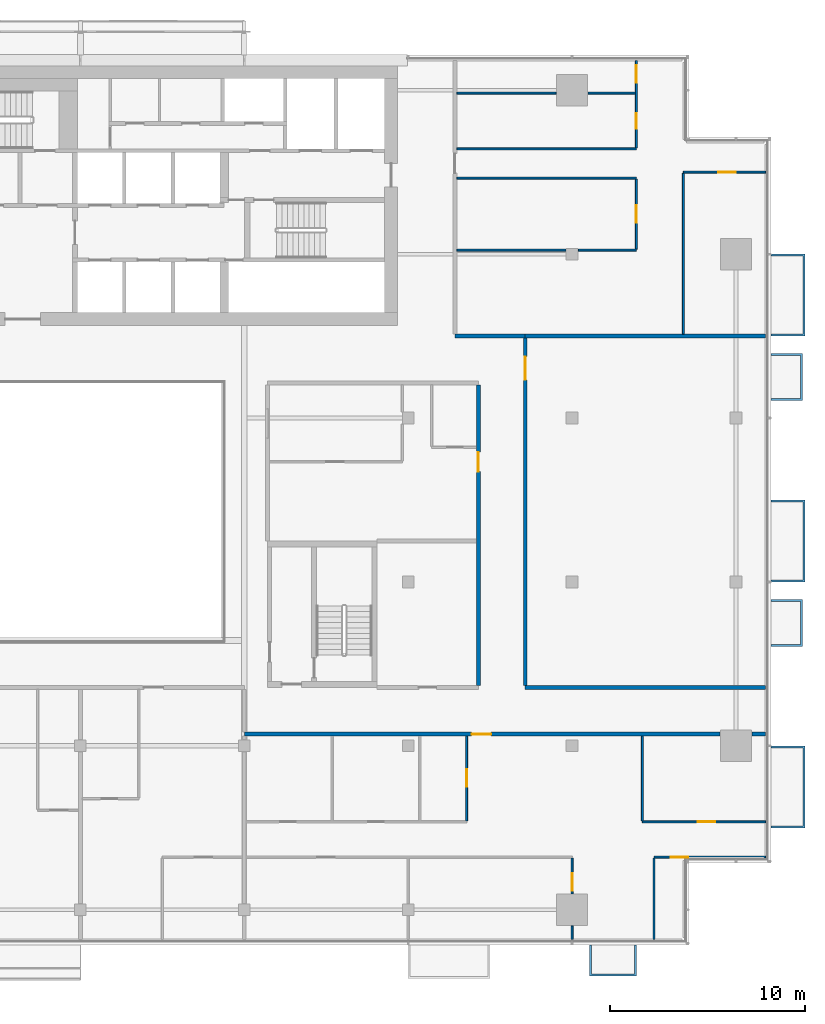
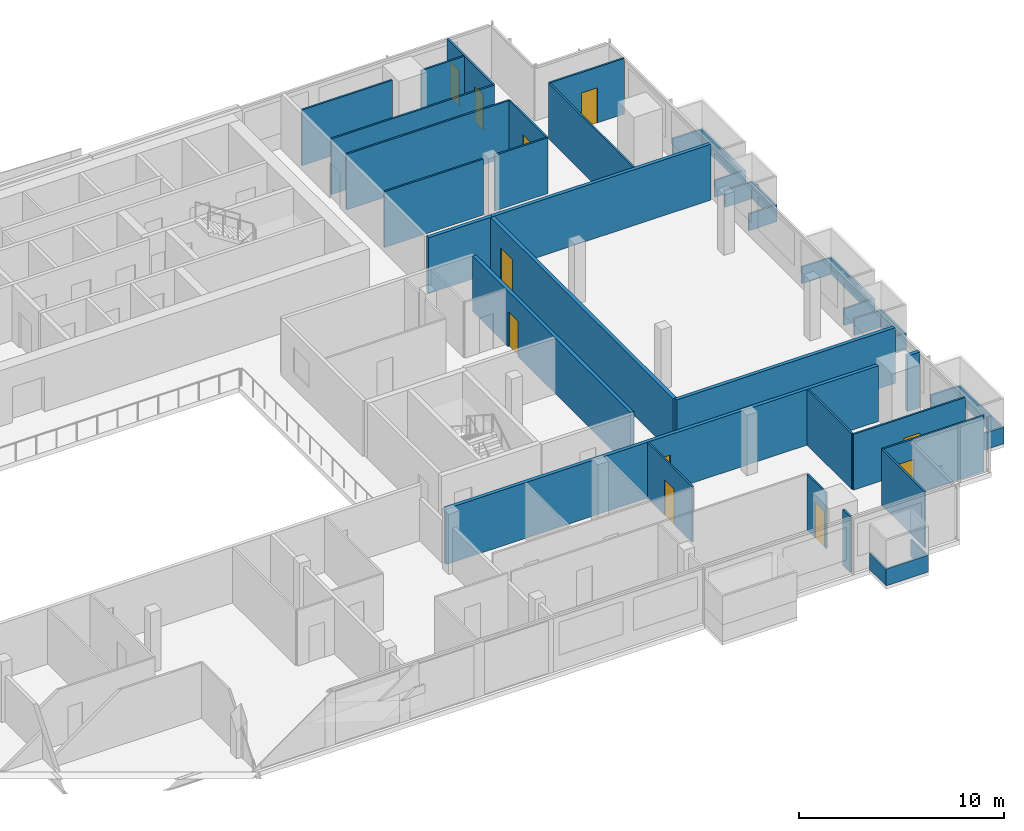
# One storey, part 24 of 27: 30 walls, 11 doors, 11 openings.
"""IFC4 building model written with IfcOpenShell, lengths in metres."""

from ifc_helpers import new_model, si_unit, direction, frame, frame_2d, origin, place, context, subcontext, project, spatial, polyline, rectangle, outline, extrude, material, layer, layer_set, type_object, element, fill, save


model = new_model("IFC4")

# Units and contexts
model_context = context("Model", 3, precision=1e-05, world=origin(), true_north=direction((0.0, 1.0)))
body_context = subcontext(model_context, "Body", "Model", "MODEL_VIEW")
ifc_project = project(units=[si_unit("LENGTHUNIT", "METRE"), si_unit("AREAUNIT", "SQUARE_METRE"), si_unit("VOLUMEUNIT", "CUBIC_METRE"), si_unit("PLANEANGLEUNIT", "RADIAN"), si_unit("MASSUNIT", "GRAM", prefix="KILO")], contexts=[model_context])

# Site, building, storey
site_placement = place(None, origin())
site = spatial("IfcSite", under=ifc_project, at=site_placement, CompositionType="ELEMENT")
building_placement = place(site_placement, origin())
building = spatial("IfcBuilding", under=site, at=building_placement, Name="Saffron Gate Tower", CompositionType="ELEMENT")
storey_placement = place(building_placement, frame((0.0, 0.0, 209.10009765625)))
storey = spatial("IfcBuildingStorey", under=building, at=storey_placement, Name="L50", CompositionType="ELEMENT", Elevation=209.10009765625)

# Wall, opening, door
ifc_material_1 = material(Name="Plasterboard on steel studs", Category="steel")
ifc_layer_1 = layer(ifc_material_1, 0.10009765625)
ifc_layer_set_1 = layer_set([ifc_layer_1], Name="PW1 Partition 100")
wall_type_1 = type_object("IfcWallType", Name="PW1 Partition 100", PredefinedType="PARTITIONING", material=ifc_layer_set_1)
wall_1_placement = place(storey_placement, frame((126.919921875, 34.5, 0.0), z_axis=(0.0, 0.0, 1.0), x_axis=(-1.0, 0.0, 0.0)))
wall_1 = element("IfcWall", 1, at=wall_1_placement, inside=storey, type_object=wall_type_1, Name="Partition D1-3", PredefinedType="PARTITIONING", context=body_context, shape_type="SweptSolid", body=[
    extrude(rectangle(XDim=5.719970703125, YDim=0.10009765625, at=frame_2d((2.85986328125, 0.0))), origin(), (0.0, 0.0, 1.0), 3.31982421875),
])
opening_1_placement = place(wall_1_placement, frame((3.96630859375, 0.0, 0.0)))
opening_1 = element("IfcOpeningElement", 2, at=opening_1_placement, cuts=wall_1, Name="Opening D1-21", PredefinedType="OPENING", context=body_context, shape_type="SweptSolid", body=[
    extrude(rectangle(XDim=0.89990234375, YDim=2.10009765625, at=frame_2d((0.449951171875, 1.050048828125))), frame((0.0, 0.06005859375, 0.0), z_axis=(0.0, -1.0, 0.0), x_axis=(1.0, 0.0, 0.0)), (0.0, 0.0, 1.0), 0.1201171875),
])
ifc_material_2 = material(Name="Timber door set", Category="wood")
door_type_1 = type_object("IfcDoorType", Name="RD1 Room door 900x2100", OperationType="NOTDEFINED", PredefinedType="DOOR", material=ifc_material_2)
door_1_placement = place(opening_1_placement, origin())
door_1 = element("IfcDoor", 3, at=door_1_placement, inside=storey, type_object=door_type_1, Name="Door D1-21", OperationType="SINGLE_SWING_RIGHT", OverallHeight=2.10009765625, OverallWidth=0.89990234375, PredefinedType="DOOR", context=body_context, shape_type="SweptSolid", body=[
    extrude(rectangle(XDim=0.89990234375, YDim=2.10009765625, at=frame_2d((0.449951171875, 1.050048828125))), frame((0.0, 0.02490234375, 0.0), z_axis=(0.0, -1.0, 0.0), x_axis=(1.0, 0.0, 0.0)), (0.0, 0.0, 1.0), 0.050048828125),
])
fill(opening_1, door_1)

wall_2_placement = place(storey_placement, frame((120.60009765625, 36.300048828125, 0.0), z_axis=(0.0, 0.0, 1.0), x_axis=(1.0, 0.0, 0.0)))
wall_2 = element("IfcWall", 4, at=wall_2_placement, inside=storey, type_object=wall_type_1, Name="Partition D1-8", PredefinedType="PARTITIONING", context=body_context, shape_type="SweptSolid", body=[
    extrude(rectangle(XDim=6.31982421875, YDim=0.10009765625, at=frame_2d((3.159912109375, 0.0))), origin(), (0.0, 0.0, 1.0), 3.31982421875),
])
opening_2_placement = place(wall_2_placement, frame((2.85009765625, 0.0, 0.0)))
opening_2 = element("IfcOpeningElement", 5, at=opening_2_placement, cuts=wall_2, Name="Opening D1-22", PredefinedType="OPENING", context=body_context, shape_type="SweptSolid", body=[
    extrude(rectangle(XDim=0.89990234375, YDim=2.10009765625, at=frame_2d((0.449951171875, 1.050048828125))), frame((0.0, 0.06005859375, 0.0), z_axis=(0.0, -1.0, 0.0), x_axis=(1.0, 0.0, 0.0)), (0.0, 0.0, 1.0), 0.1201171875),
])
door_2_placement = place(opening_2_placement, origin())
door_2 = element("IfcDoor", 6, at=door_2_placement, inside=storey, type_object=door_type_1, Name="Door D1-22", OperationType="SINGLE_SWING_RIGHT", OverallHeight=2.10009765625, OverallWidth=0.89990234375, PredefinedType="DOOR", context=body_context, shape_type="SweptSolid", body=[
    extrude(rectangle(XDim=0.89990234375, YDim=2.10009765625, at=frame_2d((0.449951171875, 1.050048828125))), frame((0.0, 0.02490234375, 0.0), z_axis=(0.0, -1.0, 0.0), x_axis=(1.0, 0.0, 0.0)), (0.0, 0.0, 1.0), 0.050048828125),
])
fill(opening_2, door_2)

# Walls
wall_3_placement = place(storey_placement, frame((111.10009765625, 65.608642578125, 0.0), z_axis=(0.0, 0.0, 1.0), x_axis=(1.0, 0.0, 0.0)))
element("IfcWall", 7, at=wall_3_placement, inside=storey, type_object=wall_type_1, Name="Partition D1-34", PredefinedType="PARTITIONING", context=body_context, shape_type="SweptSolid", body=[
    extrude(rectangle(XDim=5.579833984375, YDim=0.10009765625, at=frame_2d((2.7900390625, 0.0))), origin(), (0.0, 0.0, 1.0), 3.31982421875),
])
wall_4_placement = place(storey_placement, frame((117.320068359375, 65.608642578125, 0.0), z_axis=(0.0, 0.0, 1.0), x_axis=(1.0, 0.0, 0.0)))
element("IfcWall", 8, at=wall_4_placement, inside=storey, type_object=wall_type_1, Name="Partition D1-35", PredefinedType="PARTITIONING", context=body_context, shape_type="SweptSolid", body=[
    extrude(rectangle(XDim=2.97998046875, YDim=0.10009765625, at=frame_2d((1.489990234375, 0.0))), origin(), (0.0, 0.0, 1.0), 3.31982421875),
])
wall_5_placement = place(storey_placement, frame((111.10009765625, 69.300048828125, 0.0), z_axis=(0.0, 0.0, 1.0), x_axis=(1.0, 0.0, 0.0)))
element("IfcWall", 9, at=wall_5_placement, inside=storey, type_object=wall_type_1, Name="Partition D1-37", PredefinedType="PARTITIONING", context=body_context, shape_type="SweptSolid", body=[
    extrude(rectangle(XDim=9.199951171875, YDim=0.10009765625, at=frame_2d((4.60009765625, 0.0))), origin(), (0.0, 0.0, 1.0), 3.31982421875),
])

# Wall, opening, door
wall_6_placement = place(storey_placement, frame((126.919921875, 69.60009765625, 0.0), z_axis=(0.0, 0.0, 1.0), x_axis=(-1.0, 0.0, 0.0)))
wall_6 = element("IfcWall", 10, at=wall_6_placement, inside=storey, type_object=wall_type_1, Name="Partition D1-39", PredefinedType="PARTITIONING", context=body_context, shape_type="SweptSolid", body=[
    extrude(rectangle(XDim=4.219970703125, YDim=0.10009765625, at=frame_2d((2.10986328125, 0.0))), origin(), (0.0, 0.0, 1.0), 3.31982421875),
])
opening_3_placement = place(wall_6_placement, frame((1.52001953125, 0.0, 0.0)))
opening_3 = element("IfcOpeningElement", 11, at=opening_3_placement, cuts=wall_6, Name="Opening D1-27", PredefinedType="OPENING", context=body_context, shape_type="SweptSolid", body=[
    extrude(rectangle(XDim=0.89990234375, YDim=2.10009765625, at=frame_2d((0.449951171875, 1.050048828125))), frame((0.0, 0.06005859375, 0.0), z_axis=(0.0, -1.0, 0.0), x_axis=(1.0, 0.0, 0.0)), (0.0, 0.0, 1.0), 0.1201171875),
])
door_3_placement = place(opening_3_placement, origin())
door_3 = element("IfcDoor", 12, at=door_3_placement, inside=storey, type_object=door_type_1, Name="Door D1-27", OperationType="SINGLE_SWING_LEFT", OverallHeight=2.10009765625, OverallWidth=0.89990234375, PredefinedType="DOOR", context=body_context, shape_type="SweptSolid", body=[
    extrude(rectangle(XDim=0.89990234375, YDim=2.10009765625, at=frame_2d((0.449951171875, 1.050048828125))), frame((0.0, 0.02490234375, 0.0), z_axis=(0.0, -1.0, 0.0), x_axis=(1.0, 0.0, 0.0)), (0.0, 0.0, 1.0), 0.050048828125),
])
fill(opening_3, door_3)

# Walls
wall_7_placement = place(storey_placement, frame((111.10009765625, 70.800048828125, 0.0), z_axis=(0.0, 0.0, 1.0), x_axis=(1.0, 0.0, 0.0)))
element("IfcWall", 13, at=wall_7_placement, inside=storey, type_object=wall_type_1, Name="Partition D1-40", PredefinedType="PARTITIONING", context=body_context, shape_type="SweptSolid", body=[
    extrude(rectangle(XDim=9.199951171875, YDim=0.10009765625, at=frame_2d((4.60009765625, 0.0))), origin(), (0.0, 0.0, 1.0), 3.31982421875),
])
wall_8_placement = place(storey_placement, frame((111.10009765625, 73.6494140625, 0.0), z_axis=(0.0, 0.0, 1.0), x_axis=(1.0, 0.0, 0.0)))
element("IfcWall", 14, at=wall_8_placement, inside=storey, type_object=wall_type_1, Name="Partition D1-43", PredefinedType="PARTITIONING", context=body_context, shape_type="SweptSolid", body=[
    extrude(rectangle(XDim=5.079833984375, YDim=0.10009765625, at=frame_2d((2.5400390625, 0.0))), origin(), (0.0, 0.0, 1.0), 3.31982421875),
])
wall_9_placement = place(storey_placement, frame((117.820068359375, 73.6494140625, 0.0), z_axis=(0.0, 0.0, 1.0), x_axis=(1.0, 0.0, 0.0)))
element("IfcWall", 15, at=wall_9_placement, inside=storey, type_object=wall_type_1, Name="Partition D1-44", PredefinedType="PARTITIONING", context=body_context, shape_type="SweptSolid", body=[
    extrude(rectangle(XDim=2.429931640625, YDim=0.10009765625, at=frame_2d((1.21484375, 0.0))), origin(), (0.0, 0.0, 1.0), 3.31982421875),
])

# Wall, opening, door
wall_10_placement = place(storey_placement, frame((111.60009765625, 36.35009765625, 0.0), z_axis=(0.0, 0.0, 1.0), x_axis=(0.0, 1.0, 0.0)))
wall_10 = element("IfcWall", 16, at=wall_10_placement, inside=storey, type_object=wall_type_1, Name="Partition D1-91", PredefinedType="PARTITIONING", context=body_context, shape_type="SweptSolid", body=[
    extrude(rectangle(XDim=4.349853515625, YDim=0.10009765625, at=frame_2d((2.1748046875, 0.0))), origin(), (0.0, 0.0, 1.0), 3.31982421875),
])
opening_4_placement = place(wall_10_placement, frame((1.75, 0.0, 0.0)))
opening_4 = element("IfcOpeningElement", 17, at=opening_4_placement, cuts=wall_10, Name="Opening D1-23", PredefinedType="OPENING", context=body_context, shape_type="SweptSolid", body=[
    extrude(rectangle(XDim=0.89990234375, YDim=2.10009765625, at=frame_2d((0.449951171875, 1.050048828125))), frame((0.0, 0.06005859375, 0.0), z_axis=(0.0, -1.0, 0.0), x_axis=(1.0, 0.0, 0.0)), (0.0, 0.0, 1.0), 0.1201171875),
])
door_4_placement = place(opening_4_placement, origin())
door_4 = element("IfcDoor", 18, at=door_4_placement, inside=storey, type_object=door_type_1, Name="Door D1-23", OperationType="SINGLE_SWING_RIGHT", OverallHeight=2.10009765625, OverallWidth=0.89990234375, PredefinedType="DOOR", context=body_context, shape_type="SweptSolid", body=[
    extrude(rectangle(XDim=0.89990234375, YDim=2.10009765625, at=frame_2d((0.449951171875, 1.050048828125))), frame((0.0, 0.02490234375, 0.0), z_axis=(0.0, -1.0, 0.0), x_axis=(1.0, 0.0, 0.0)), (0.0, 0.0, 1.0), 0.050048828125),
])
fill(opening_4, door_4)

# Wall
wall_11_placement = place(storey_placement, frame((117.0, 30.97998046875, 0.0), z_axis=(0.0, 0.0, 1.0), x_axis=(0.0, -1.0, 0.0)))
element("IfcWall", 19, at=wall_11_placement, inside=storey, type_object=wall_type_1, Name="Partition D1-94", PredefinedType="PARTITIONING", context=body_context, shape_type="SweptSolid", body=[
    extrude(rectangle(XDim=0.699951171875, YDim=0.10009765625, at=frame_2d((0.35009765625, 0.0))), origin(), (0.0, 0.0, 1.0), 3.31982421875),
])

# Wall, opening, door
wall_12_placement = place(storey_placement, frame((117.0, 32.6201171875, 0.0), z_axis=(0.0, 0.0, 1.0), x_axis=(0.0, 1.0, 0.0)))
wall_12 = element("IfcWall", 20, at=wall_12_placement, inside=storey, type_object=wall_type_1, Name="Partition D1-95", PredefinedType="PARTITIONING", context=body_context, shape_type="SweptSolid", body=[
    extrude(rectangle(XDim=1.829833984375, YDim=0.10009765625, at=frame_2d((0.9150390625, 0.0))), origin(), (0.0, 0.0, 1.0), 3.31982421875),
])
opening_5_placement = place(wall_12_placement, frame((0.14990234375, 0.0, 0.0)))
opening_5 = element("IfcOpeningElement", 21, at=opening_5_placement, cuts=wall_12, Name="Opening D1-20", PredefinedType="OPENING", context=body_context, shape_type="SweptSolid", body=[
    extrude(rectangle(XDim=0.89990234375, YDim=2.10009765625, at=frame_2d((0.449951171875, 1.050048828125))), frame((0.0, 0.06005859375, 0.0), z_axis=(0.0, -1.0, 0.0), x_axis=(1.0, 0.0, 0.0)), (0.0, 0.0, 1.0), 0.1201171875),
])
door_5_placement = place(opening_5_placement, origin())
door_5 = element("IfcDoor", 22, at=door_5_placement, inside=storey, type_object=door_type_1, Name="Door D1-20", OperationType="SINGLE_SWING_LEFT", OverallHeight=2.10009765625, OverallWidth=0.89990234375, PredefinedType="DOOR", context=body_context, shape_type="SweptSolid", body=[
    extrude(rectangle(XDim=0.89990234375, YDim=2.10009765625, at=frame_2d((0.449951171875, 1.050048828125))), frame((0.0, 0.02490234375, 0.0), z_axis=(0.0, -1.0, 0.0), x_axis=(1.0, 0.0, 0.0)), (0.0, 0.0, 1.0), 0.050048828125),
])
fill(opening_5, door_5)

wall_13_placement = place(storey_placement, frame((120.300048828125, 65.65869140625, 0.0), z_axis=(0.0, 0.0, 1.0), x_axis=(0.0, 1.0, 0.0)))
wall_13 = element("IfcWall", 23, at=wall_13_placement, inside=storey, type_object=wall_type_1, Name="Partition D1-96", PredefinedType="PARTITIONING", context=body_context, shape_type="SweptSolid", body=[
    extrude(rectangle(XDim=3.59130859375, YDim=0.10009765625, at=frame_2d((1.795654296875, 0.0))), origin(), (0.0, 0.0, 1.0), 3.31982421875),
])
opening_6_placement = place(wall_13_placement, frame((1.345703125, 0.0, 0.0)))
opening_6 = element("IfcOpeningElement", 24, at=opening_6_placement, cuts=wall_13, Name="Opening D1-28", PredefinedType="OPENING", context=body_context, shape_type="SweptSolid", body=[
    extrude(rectangle(XDim=0.89990234375, YDim=2.10009765625, at=frame_2d((0.449951171875, 1.050048828125))), frame((0.0, 0.06005859375, 0.0), z_axis=(0.0, -1.0, 0.0), x_axis=(1.0, 0.0, 0.0)), (0.0, 0.0, 1.0), 0.1201171875),
])
door_6_placement = place(opening_6_placement, origin())
door_6 = element("IfcDoor", 25, at=door_6_placement, inside=storey, type_object=door_type_1, Name="Door D1-28", OperationType="SINGLE_SWING_RIGHT", OverallHeight=2.10009765625, OverallWidth=0.89990234375, PredefinedType="DOOR", context=body_context, shape_type="SweptSolid", body=[
    extrude(rectangle(XDim=0.89990234375, YDim=2.10009765625, at=frame_2d((0.449951171875, 1.050048828125))), frame((0.0, 0.02490234375, 0.0), z_axis=(0.0, -1.0, 0.0), x_axis=(1.0, 0.0, 0.0)), (0.0, 0.0, 1.0), 0.050048828125),
])
fill(opening_6, door_6)

# Wall, openings, doors
wall_14_placement = place(storey_placement, frame((120.300048828125, 70.85009765625, 0.0), z_axis=(0.0, 0.0, 1.0), x_axis=(0.0, 1.0, 0.0)))
wall_14 = element("IfcWall", 26, at=wall_14_placement, inside=storey, type_object=wall_type_1, Name="Partition D1-97", PredefinedType="PARTITIONING", context=body_context, shape_type="SweptSolid", body=[
    extrude(rectangle(XDim=4.469970703125, YDim=0.10009765625, at=frame_2d((2.23486328125, 0.0))), origin(), (0.0, 0.0, 1.0), 3.31982421875),
])
opening_7_placement = place(wall_14_placement, frame((0.974609375, 0.0, 0.0)))
opening_7 = element("IfcOpeningElement", 27, at=opening_7_placement, cuts=wall_14, Name="Opening D1-39", PredefinedType="OPENING", context=body_context, shape_type="SweptSolid", body=[
    extrude(rectangle(XDim=0.800048828125, YDim=2.10009765625, at=frame_2d((0.39990234375, 1.050048828125))), frame((0.0, 0.06005859375, 0.0), z_axis=(0.0, -1.0, 0.0), x_axis=(1.0, 0.0, 0.0)), (0.0, 0.0, 1.0), 0.1201171875),
])
opening_8_placement = place(wall_14_placement, frame((3.32470703125, 0.0, 0.0)))
opening_8 = element("IfcOpeningElement", 28, at=opening_8_placement, cuts=wall_14, Name="Opening D1-29", PredefinedType="OPENING", context=body_context, shape_type="SweptSolid", body=[
    extrude(rectangle(XDim=0.89990234375, YDim=2.10009765625, at=frame_2d((0.449951171875, 1.050048828125))), frame((0.0, 0.06005859375, 0.0), z_axis=(0.0, -1.0, 0.0), x_axis=(1.0, 0.0, 0.0)), (0.0, 0.0, 1.0), 0.1201171875),
])
door_7_placement = place(opening_8_placement, origin())
door_7 = element("IfcDoor", 29, at=door_7_placement, inside=storey, type_object=door_type_1, Name="Door D1-29", OperationType="SINGLE_SWING_RIGHT", OverallHeight=2.10009765625, OverallWidth=0.89990234375, PredefinedType="DOOR", context=body_context, shape_type="SweptSolid", body=[
    extrude(rectangle(XDim=0.89990234375, YDim=2.10009765625, at=frame_2d((0.449951171875, 1.050048828125))), frame((0.0, 0.02490234375, 0.0), z_axis=(0.0, -1.0, 0.0), x_axis=(1.0, 0.0, 0.0)), (0.0, 0.0, 1.0), 0.050048828125),
])
fill(opening_8, door_7)
door_type_2 = type_object("IfcDoorType", Name="RD2 Bathroom door 800x2100", OperationType="NOTDEFINED", PredefinedType="DOOR", material=ifc_material_2)
door_8_placement = place(opening_7_placement, origin())
door_8 = element("IfcDoor", 30, at=door_8_placement, inside=storey, type_object=door_type_2, Name="Door D1-39", OperationType="SINGLE_SWING_LEFT", OverallHeight=2.10009765625, OverallWidth=0.800048828125, PredefinedType="DOOR", context=body_context, shape_type="SweptSolid", body=[
    extrude(rectangle(XDim=0.800048828125, YDim=2.10009765625, at=frame_2d((0.39990234375, 1.050048828125))), frame((0.0, 0.02490234375, 0.0), z_axis=(0.0, -1.0, 0.0), x_axis=(1.0, 0.0, 0.0)), (0.0, 0.0, 1.0), 0.050048828125),
])
fill(opening_7, door_8)

# Walls
wall_15_placement = place(storey_placement, frame((120.60009765625, 40.699951171875, 0.0), z_axis=(0.0, 0.0, 1.0), x_axis=(0.0, -1.0, 0.0)))
element("IfcWall", 31, at=wall_15_placement, inside=storey, type_object=wall_type_1, Name="Partition D1-98", PredefinedType="PARTITIONING", context=body_context, shape_type="SweptSolid", body=[
    extrude(rectangle(XDim=4.349853515625, YDim=0.10009765625, at=frame_2d((2.1748046875, 0.0))), origin(), (0.0, 0.0, 1.0), 3.31982421875),
])
wall_16_placement = place(storey_placement, frame((121.199951171875, 34.449951171875, 0.0), z_axis=(0.0, 0.0, 1.0), x_axis=(0.0, -1.0, 0.0)))
element("IfcWall", 32, at=wall_16_placement, inside=storey, type_object=wall_type_1, Name="Partition D1-99", PredefinedType="PARTITIONING", context=body_context, shape_type="SweptSolid", body=[
    extrude(rectangle(XDim=4.169921875, YDim=0.10009765625, at=frame_2d((2.0849609375, 0.0))), origin(), (0.0, 0.0, 1.0), 3.31982421875),
])
wall_17_placement = place(storey_placement, frame((122.699951171875, 69.550048828125, 0.0), z_axis=(0.0, 0.0, 1.0), x_axis=(0.0, -1.0, 0.0)))
element("IfcWall", 33, at=wall_17_placement, inside=storey, type_object=wall_type_1, Name="Partition D1-100", PredefinedType="PARTITIONING", context=body_context, shape_type="SweptSolid", body=[
    extrude(rectangle(XDim=8.25, YDim=0.10009765625, at=frame_2d((4.125, 0.0))), origin(), (0.0, 0.0, 1.0), 3.31982421875),
])

# Wall, opening, door
ifc_material_3 = material(Name="Clay brick masonry, rendered", Category="masonry")
ifc_layer_2 = layer(ifc_material_3, 0.199951171875)
ifc_layer_set_2 = layer_set([ifc_layer_2], Name="PW3 Corridor wall 200")
wall_type_2 = type_object("IfcWallType", Name="PW3 Corridor wall 200", PredefinedType="PARTITIONING", material=ifc_layer_set_2)
wall_18_placement = place(storey_placement, frame((124.580078125, 40.800048828125, 0.0), z_axis=(0.0, 0.0, 1.0), x_axis=(-1.0, 0.0, 0.0)))
wall_18 = element("IfcWall", 34, at=wall_18_placement, inside=storey, type_object=wall_type_2, Name="Wall D1-14", PredefinedType="PARTITIONING", context=body_context, shape_type="SweptSolid", body=[
    extrude(rectangle(XDim=24.380126953125, YDim=0.199951171875, at=frame_2d((12.18994140625, 0.0))), origin(), (0.0, 0.0, 1.0), 3.31982421875),
])
opening_9_placement = place(wall_18_placement, frame((11.72998046875, 0.0, 0.0)))
opening_9 = element("IfcOpeningElement", 35, at=opening_9_placement, cuts=wall_18, Name="Opening D1-4", PredefinedType="OPENING", context=body_context, shape_type="SweptSolid", body=[
    extrude(rectangle(XDim=1.0, YDim=2.10009765625, at=frame_2d((0.5, 1.050048828125))), frame((0.0, 0.10986328125, 0.0), z_axis=(0.0, -1.0, 0.0), x_axis=(1.0, 0.0, 0.0)), (0.0, 0.0, 1.0), 0.219970703125),
])
ifc_material_4 = material(Name="Timber fire door set", Category="wood")
door_type_3 = type_object("IfcDoorType", Name="FD1 Flat entry door 1000x2100", OperationType="NOTDEFINED", PredefinedType="DOOR", material=ifc_material_4)
door_9_placement = place(opening_9_placement, origin())
door_9 = element("IfcDoor", 36, at=door_9_placement, inside=storey, type_object=door_type_3, Name="Door D1-4", OperationType="SINGLE_SWING_RIGHT", OverallHeight=2.10009765625, OverallWidth=1.0, PredefinedType="DOOR", context=body_context, shape_type="SweptSolid", body=[
    extrude(rectangle(XDim=1.0, YDim=2.10009765625, at=frame_2d((0.5, 1.050048828125))), frame((0.0, 0.02490234375, 0.0), z_axis=(0.0, -1.0, 0.0), x_axis=(1.0, 0.0, 0.0)), (0.0, 0.0, 1.0), 0.050048828125),
])
fill(opening_9, door_9)

# Walls
wall_19_placement = place(storey_placement, frame((126.219970703125, 40.800048828125, 0.0), z_axis=(0.0, 0.0, 1.0), x_axis=(1.0, 0.0, 0.0)))
element("IfcWall", 37, at=wall_19_placement, inside=storey, type_object=wall_type_2, Name="Wall D1-15", PredefinedType="PARTITIONING", context=body_context, shape_type="SweptSolid", body=[
    extrude(rectangle(XDim=0.699951171875, YDim=0.199951171875, at=frame_2d((0.35009765625, 0.0))), origin(), (0.0, 0.0, 1.0), 3.31982421875),
])
wall_20_placement = place(storey_placement, frame((114.60009765625, 43.199951171875, 0.0), z_axis=(0.0, 0.0, 1.0), x_axis=(1.0, 0.0, 0.0)))
element("IfcWall", 38, at=wall_20_placement, inside=storey, type_object=wall_type_2, Name="Wall D1-20", PredefinedType="PARTITIONING", context=body_context, shape_type="SweptSolid", body=[
    extrude(rectangle(XDim=12.31982421875, YDim=0.199951171875, at=frame_2d((6.159912109375, 0.0))), origin(), (0.0, 0.0, 1.0), 3.31982421875),
])
wall_21_placement = place(storey_placement, frame((111.0, 61.199951171875, 0.0), z_axis=(0.0, 0.0, 1.0), x_axis=(1.0, 0.0, 0.0)))
element("IfcWall", 39, at=wall_21_placement, inside=storey, type_object=wall_type_2, Name="Wall D1-30", PredefinedType="PARTITIONING", context=body_context, shape_type="SweptSolid", body=[
    extrude(rectangle(XDim=3.60009765625, YDim=0.199951171875, at=frame_2d((1.800048828125, 0.0))), origin(), (0.0, 0.0, 1.0), 3.31982421875),
])

# Wall, opening, door
wall_22_placement = place(storey_placement, frame((112.199951171875, 43.300048828125, 0.0), z_axis=(0.0, 0.0, 1.0), x_axis=(0.0, 1.0, 0.0)))
wall_22 = element("IfcWall", 40, at=wall_22_placement, inside=storey, type_object=wall_type_2, Name="Wall D1-92", PredefinedType="PARTITIONING", context=body_context, shape_type="SweptSolid", body=[
    extrude(rectangle(XDim=15.39990234375, YDim=0.199951171875, at=frame_2d((7.699951171875, 0.0))), origin(), (0.0, 0.0, 1.0), 3.31982421875),
])
opening_10_placement = place(wall_22_placement, frame((10.949951171875, 0.0, 0.0)))
opening_10 = element("IfcOpeningElement", 41, at=opening_10_placement, cuts=wall_22, Name="Opening D1-8", PredefinedType="OPENING", context=body_context, shape_type="SweptSolid", body=[
    extrude(rectangle(XDim=1.0, YDim=2.10009765625, at=frame_2d((0.5, 1.050048828125))), frame((0.0, 0.10986328125, 0.0), z_axis=(0.0, -1.0, 0.0), x_axis=(1.0, 0.0, 0.0)), (0.0, 0.0, 1.0), 0.219970703125),
])
door_10_placement = place(opening_10_placement, origin())
door_10 = element("IfcDoor", 42, at=door_10_placement, inside=storey, type_object=door_type_3, Name="Door D1-8", OperationType="SINGLE_SWING_RIGHT", OverallHeight=2.10009765625, OverallWidth=1.0, PredefinedType="DOOR", context=body_context, shape_type="SweptSolid", body=[
    extrude(rectangle(XDim=1.0, YDim=2.10009765625, at=frame_2d((0.5, 1.050048828125))), frame((0.0, 0.02490234375, 0.0), z_axis=(0.0, -1.0, 0.0), x_axis=(1.0, 0.0, 0.0)), (0.0, 0.0, 1.0), 0.050048828125),
])
fill(opening_10, door_10)

wall_23_placement = place(storey_placement, frame((114.60009765625, 61.10009765625, 0.0), z_axis=(0.0, 0.0, 1.0), x_axis=(0.0, -1.0, 0.0)))
wall_23 = element("IfcWall", 43, at=wall_23_placement, inside=storey, type_object=wall_type_2, Name="Wall D1-93", PredefinedType="PARTITIONING", context=body_context, shape_type="SweptSolid", body=[
    extrude(rectangle(XDim=17.800048828125, YDim=0.199951171875, at=frame_2d((8.89990234375, 0.0))), origin(), (0.0, 0.0, 1.0), 3.31982421875),
])
opening_11_placement = place(wall_23_placement, frame((0.949951171875, 0.0, 0.0)))
opening_11 = element("IfcOpeningElement", 44, at=opening_11_placement, cuts=wall_23, Name="Opening D1-44", PredefinedType="OPENING", context=body_context, shape_type="SweptSolid", body=[
    extrude(rectangle(XDim=1.199951171875, YDim=2.10009765625, at=frame_2d((0.60009765625, 1.050048828125))), frame((0.0, 0.10986328125, 0.0), z_axis=(0.0, -1.0, 0.0), x_axis=(1.0, 0.0, 0.0)), (0.0, 0.0, 1.0), 0.219970703125),
])
door_type_4 = type_object("IfcDoorType", Name="HD1 Hall door 1200x2100", OperationType="NOTDEFINED", PredefinedType="DOOR", material=ifc_material_2)
door_11_placement = place(opening_11_placement, origin())
door_11 = element("IfcDoor", 45, at=door_11_placement, inside=storey, type_object=door_type_4, Name="Door D1-44", OperationType="SINGLE_SWING_RIGHT", OverallHeight=2.10009765625, OverallWidth=1.199951171875, PredefinedType="DOOR", context=body_context, shape_type="SweptSolid", body=[
    extrude(rectangle(XDim=1.199951171875, YDim=2.10009765625, at=frame_2d((0.60009765625, 1.050048828125))), frame((0.0, 0.02490234375, 0.0), z_axis=(0.0, -1.0, 0.0), x_axis=(1.0, 0.0, 0.0)), (0.0, 0.0, 1.0), 0.050048828125),
])
fill(opening_11, door_11)

# Walls
ifc_layer_3 = layer(ifc_material_3, 0.199951171875)
ifc_layer_set_3 = layer_set([ifc_layer_3], Name="PW5 Room wall 200")
wall_type_3 = type_object("IfcWallType", Name="PW5 Room wall 200", PredefinedType="PARTITIONING", material=ifc_layer_set_3)
wall_24_placement = place(storey_placement, frame((114.60009765625, 61.199951171875, 0.0), z_axis=(0.0, 0.0, 1.0), x_axis=(1.0, 0.0, 0.0)))
element("IfcWall", 46, at=wall_24_placement, inside=storey, type_object=wall_type_3, Name="Wall D1-32", PredefinedType="PARTITIONING", context=body_context, shape_type="SweptSolid", body=[
    extrude(rectangle(XDim=12.31982421875, YDim=0.199951171875, at=frame_2d((6.159912109375, 0.0))), origin(), (0.0, 0.0, 1.0), 3.31982421875),
])
ifc_material_5 = material(Name="Rendered insulated panel, white")
ifc_layer_4 = layer(ifc_material_5, 0.10009765625)
ifc_layer_set_4 = layer_set([ifc_layer_4], Name="WB3 box parapet white")
wall_type_4 = type_object("IfcWallType", Name="WB3 box parapet white", PredefinedType="SOLIDWALL", material=ifc_layer_set_4)
wall_25_placement = place(storey_placement, origin())
element("IfcWall", 47, at=wall_25_placement, inside=storey, type_object=wall_type_4, Name="WINDOW BOX parapet", PredefinedType="SOLIDWALL", context=body_context, shape_type="SweptSolid", body=[
    extrude(outline(polyline([(117.89990234375, 30.0), (118.0, 30.0), (118.0, 28.5), (120.199951171875, 28.5), (120.199951171875, 30.0), (120.300048828125, 30.0), (120.300048828125, 28.39990234375), (117.89990234375, 28.39990234375), (117.89990234375, 30.0)])), origin(), (0.0, 0.0, 1.0), 1.0),
])
wall_26_placement = place(storey_placement, origin())
element("IfcWall", 48, at=wall_26_placement, inside=storey, type_object=wall_type_4, Name="WINDOW BOX parapet", PredefinedType="SOLIDWALL", context=body_context, shape_type="SweptSolid", body=[
    extrude(outline(polyline([(127.199951171875, 36.0), (127.199951171875, 36.10009765625), (128.8330078125, 36.10009765625), (128.8330078125, 40.10009765625), (127.199951171875, 40.10009765625), (127.199951171875, 40.199951171875), (128.93310546875, 40.199951171875), (128.93310546875, 36.0), (127.199951171875, 36.0)])), origin(), (0.0, 0.0, 1.0), 1.0),
])
wall_27_placement = place(storey_placement, origin())
element("IfcWall", 49, at=wall_27_placement, inside=storey, type_object=wall_type_4, Name="WINDOW BOX parapet", PredefinedType="SOLIDWALL", context=body_context, shape_type="SweptSolid", body=[
    extrude(outline(polyline([(127.199951171875, 45.300048828125), (127.199951171875, 45.39990234375), (128.699951171875, 45.39990234375), (128.699951171875, 47.60009765625), (127.199951171875, 47.60009765625), (127.199951171875, 47.699951171875), (128.800048828125, 47.699951171875), (128.800048828125, 45.300048828125), (127.199951171875, 45.300048828125)])), origin(), (0.0, 0.0, 1.0), 1.0),
])
wall_28_placement = place(storey_placement, origin())
element("IfcWall", 50, at=wall_28_placement, inside=storey, type_object=wall_type_4, Name="WINDOW BOX parapet", PredefinedType="SOLIDWALL", context=body_context, shape_type="SweptSolid", body=[
    extrude(outline(polyline([(127.199951171875, 48.60009765625), (127.199951171875, 48.699951171875), (128.8330078125, 48.699951171875), (128.8330078125, 52.699951171875), (127.199951171875, 52.699951171875), (127.199951171875, 52.800048828125), (128.93310546875, 52.800048828125), (128.93310546875, 48.60009765625), (127.199951171875, 48.60009765625)])), origin(), (0.0, 0.0, 1.0), 1.0),
])
wall_29_placement = place(storey_placement, origin())
element("IfcWall", 51, at=wall_29_placement, inside=storey, type_object=wall_type_4, Name="WINDOW BOX parapet", PredefinedType="SOLIDWALL", context=body_context, shape_type="SweptSolid", body=[
    extrude(outline(polyline([(127.199951171875, 57.89990234375), (127.199951171875, 58.0), (128.699951171875, 58.0), (128.699951171875, 60.199951171875), (127.199951171875, 60.199951171875), (127.199951171875, 60.300048828125), (128.800048828125, 60.300048828125), (128.800048828125, 57.89990234375), (127.199951171875, 57.89990234375)])), origin(), (0.0, 0.0, 1.0), 1.0),
])
wall_30_placement = place(storey_placement, origin())
element("IfcWall", 52, at=wall_30_placement, inside=storey, type_object=wall_type_4, Name="WINDOW BOX parapet", PredefinedType="SOLIDWALL", context=body_context, shape_type="SweptSolid", body=[
    extrude(outline(polyline([(127.199951171875, 61.199951171875), (127.199951171875, 61.300048828125), (128.8330078125, 61.300048828125), (128.8330078125, 65.300048828125), (127.199951171875, 65.300048828125), (127.199951171875, 65.39990234375), (128.93310546875, 65.39990234375), (128.93310546875, 61.199951171875), (127.199951171875, 61.199951171875)])), origin(), (0.0, 0.0, 1.0), 1.0),
])

save(model, "model.ifc")
